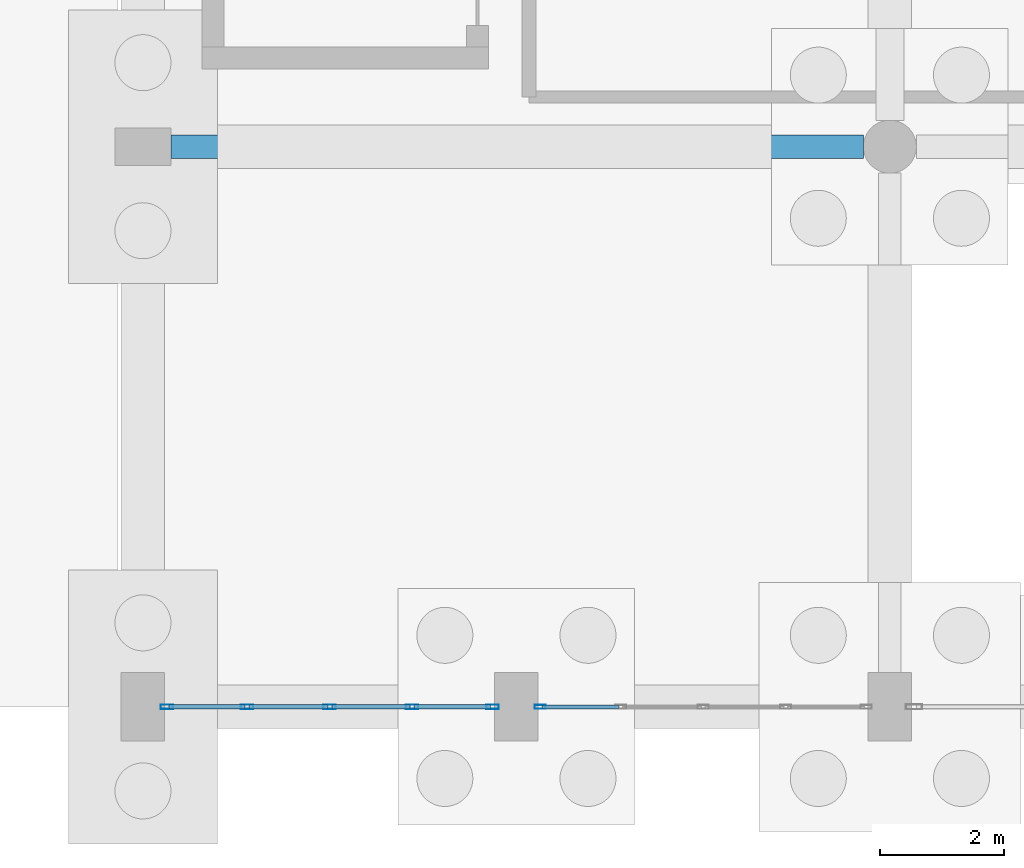
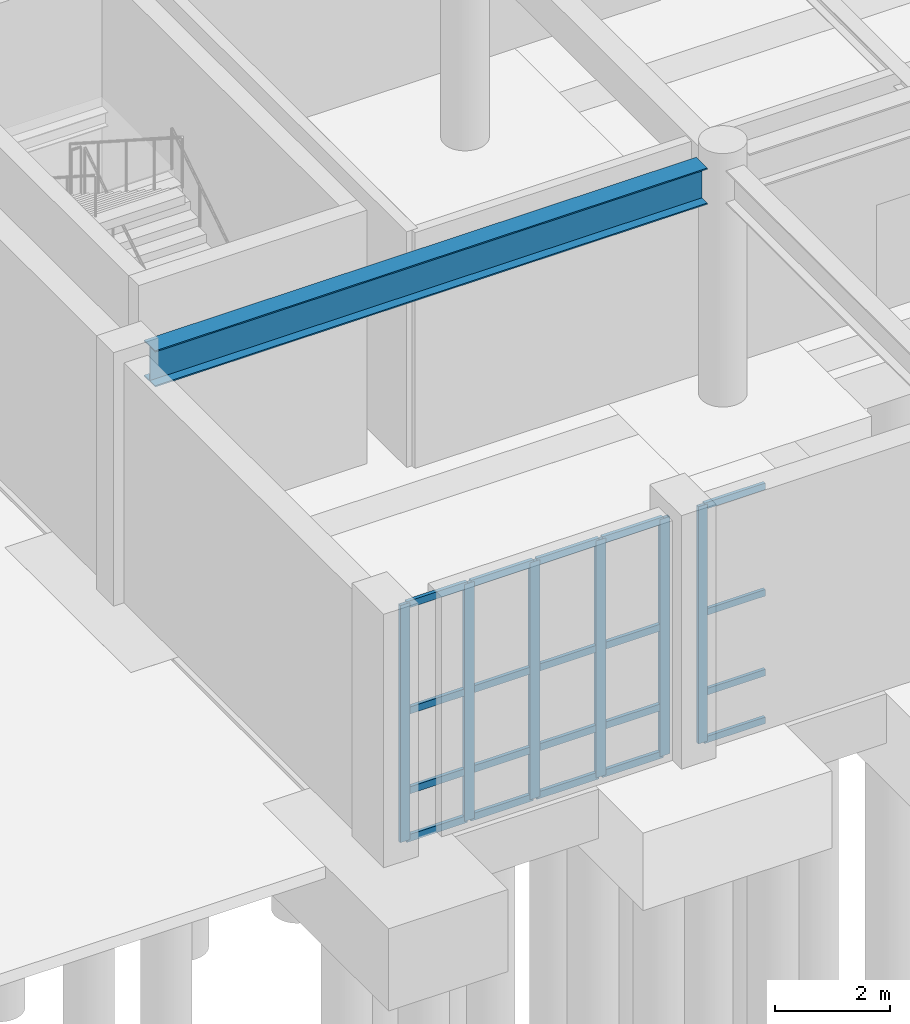
# One storey, part 18 of 69: 26 members, 1 beam, 2 elements without a shape of their own.
"""IFC4 building model written with IfcOpenShell, lengths in metres."""

from ifc_helpers import new_model, si_unit, direction, frame, origin, origin_2d, place, context, subcontext, project, spatial, hollow_rectangle, i_section, extrude, material, layer, layer_set, material_profile, profile_set, type_object, element, aggregate, save


model = new_model("IFC4")

# Units and contexts
model_context = context("Model", 3, precision=1e-05, world=origin(), true_north=direction((0.0, 1.0)))
body_context = subcontext(model_context, "Body", "Model", "MODEL_VIEW")
ifc_project = project(units=[si_unit("LENGTHUNIT", "METRE"), si_unit("AREAUNIT", "SQUARE_METRE"), si_unit("VOLUMEUNIT", "CUBIC_METRE"), si_unit("PLANEANGLEUNIT", "RADIAN"), si_unit("MASSUNIT", "GRAM", prefix="KILO")], contexts=[model_context])

# Site, building, storey
site_placement = place(None, origin())
site = spatial("IfcSite", under=ifc_project, at=site_placement, CompositionType="ELEMENT")
building_placement = place(site_placement, origin())
building = spatial("IfcBuilding", under=site, at=building_placement, Name="Vaelkrest Opera House", CompositionType="ELEMENT")
storey_placement = place(building_placement, frame((0.0, 0.0, -5.39990234375)))
storey = spatial("IfcBuildingStorey", under=building, at=storey_placement, Name="B1", CompositionType="ELEMENT", Elevation=-5.39990234375)

# Beam
ifc_material_1 = material(Name="Steel A992 Gr50", Category="steel")
ifc_material_profile_1 = material_profile(ifc_material_1, i_section(OverallWidth=0.381103515625, OverallDepth=0.77294921875, WebThickness=0.0166015625, FlangeThickness=0.027099609375, at=origin_2d()), Name="W30X173")
ifc_profile_set_1 = profile_set([ifc_material_profile_1], Name="Steel A992 Gr50")
beam_type = type_object("IfcBeamType", Name="B11", PredefinedType="BEAM", material=ifc_profile_set_1)
beam_placement = place(storey_placement, frame((-29.550048828125, -46.800048828125, 4.67333984375), z_axis=(1.0, 0.0, 0.0), x_axis=(0.0, 1.0, 0.0)))
element("IfcBeam", 1, at=beam_placement, inside=storey, type_object=beam_type, Name="Beam BM-V1-B1-0001", PredefinedType="BEAM", context=body_context, shape_type="SweptSolid", body=[
    extrude(i_section(OverallWidth=0.381103515625, OverallDepth=0.77294921875, WebThickness=0.0166015625, FlangeThickness=0.027099609375, at=origin_2d()), origin(), (0.0, 0.0, 1.0), 11.125),
])

# Curtain wall, member
ifc_material_2 = material(Name="Dark bronze anodized aluminium", Category="aluminium")
ifc_layer_1 = layer(ifc_material_2, 0.179931640625)
ifc_layer_set_1 = layer_set([ifc_layer_1], Name="Dark bronze anodized aluminium")
curtain_wall_type_1 = type_object("IfcCurtainWallType", Name="CW01", PredefinedType="NOTDEFINED", material=ifc_layer_set_1)
curtain_wall_1_placement = place(storey_placement, origin())
curtain_wall_1 = element("IfcCurtainWall", 2, at=curtain_wall_1_placement, inside=storey, type_object=curtain_wall_type_1, Name="Curtain wall CW-B1-009", PredefinedType="NOTDEFINED")
ifc_material_profile_2 = material_profile(ifc_material_2, hollow_rectangle(XDim=0.06494140625, YDim=0.179931640625, WallThickness=0.00390625, at=origin_2d()), Name="CWM65X180")
ifc_profile_set_2 = profile_set([ifc_material_profile_2], Name="Dark bronze anodized aluminium")
member_type_1 = type_object("IfcMemberType", Name="CWM01", PredefinedType="MULLION", material=ifc_profile_set_2)
member_1_placement = place(storey_placement, frame((-23.619384765625, -55.800048828125, 0.0), z_axis=(0.0, 0.0, 1.0), x_axis=(0.0, -1.0, 0.0)))
member_1 = element("IfcMember", 3, at=member_1_placement, type_object=member_type_1, Name="CW01 mullion 5", PredefinedType="MULLION", context=body_context, shape_type="SweptSolid", body=[
    extrude(hollow_rectangle(XDim=0.06494140625, YDim=0.179931640625, WallThickness=0.00390625, at=origin_2d()), origin(), (0.0, 0.0, 1.0), 5.0498046875),
])

# Curtain wall, members
ifc_layer_2 = layer(ifc_material_2, 0.18994140625)
ifc_layer_set_2 = layer_set([ifc_layer_2], Name="Dark bronze anodized aluminium")
curtain_wall_type_2 = type_object("IfcCurtainWallType", Name="CW02", PredefinedType="NOTDEFINED", material=ifc_layer_set_2)
curtain_wall_2_placement = place(storey_placement, origin())
curtain_wall_2 = element("IfcCurtainWall", 4, at=curtain_wall_2_placement, inside=storey, type_object=curtain_wall_type_2, Name="Curtain wall CW-B1-010", PredefinedType="NOTDEFINED")
ifc_material_profile_3 = material_profile(ifc_material_2, hollow_rectangle(XDim=0.070068359375, YDim=0.199951171875, WallThickness=0.004150390625, at=origin_2d()), Name="CWM70X200")
ifc_profile_set_3 = profile_set([ifc_material_profile_3], Name="Dark bronze anodized aluminium")
member_type_2 = type_object("IfcMemberType", Name="CWM02", PredefinedType="MULLION", material=ifc_profile_set_3)
member_2_placement = place(storey_placement, frame((-24.383056640625, -55.800048828125, 0.0), z_axis=(0.0, 0.0, 1.0), x_axis=(0.0, -1.0, 0.0)))
member_2 = element("IfcMember", 5, at=member_2_placement, type_object=member_type_2, Name="CW02 mullion 1", PredefinedType="MULLION", context=body_context, shape_type="SweptSolid", body=[
    extrude(hollow_rectangle(XDim=0.070068359375, YDim=0.199951171875, WallThickness=0.004150390625, at=origin_2d()), origin(), (0.0, 0.0, 1.0), 5.0498046875),
])
member_3_placement = place(storey_placement, frame((-25.674072265625, -55.800048828125, 0.0), z_axis=(0.0, 0.0, 1.0), x_axis=(0.0, -1.0, 0.0)))
member_3 = element("IfcMember", 6, at=member_3_placement, type_object=member_type_2, Name="CW02 mullion 2", PredefinedType="MULLION", context=body_context, shape_type="SweptSolid", body=[
    extrude(hollow_rectangle(XDim=0.070068359375, YDim=0.199951171875, WallThickness=0.004150390625, at=origin_2d()), origin(), (0.0, 0.0, 1.0), 5.0498046875),
])
member_4_placement = place(storey_placement, frame((-27.0, -55.800048828125, 0.0), z_axis=(0.0, 0.0, 1.0), x_axis=(0.0, -1.0, 0.0)))
member_4 = element("IfcMember", 7, at=member_4_placement, type_object=member_type_2, Name="CW02 mullion 3", PredefinedType="MULLION", context=body_context, shape_type="SweptSolid", body=[
    extrude(hollow_rectangle(XDim=0.070068359375, YDim=0.199951171875, WallThickness=0.004150390625, at=origin_2d()), origin(), (0.0, 0.0, 1.0), 5.0498046875),
])
member_5_placement = place(storey_placement, frame((-28.325927734375, -55.800048828125, 0.0), z_axis=(0.0, 0.0, 1.0), x_axis=(0.0, -1.0, 0.0)))
member_5 = element("IfcMember", 8, at=member_5_placement, type_object=member_type_2, Name="CW02 mullion 4", PredefinedType="MULLION", context=body_context, shape_type="SweptSolid", body=[
    extrude(hollow_rectangle(XDim=0.070068359375, YDim=0.199951171875, WallThickness=0.004150390625, at=origin_2d()), origin(), (0.0, 0.0, 1.0), 5.0498046875),
])
member_6_placement = place(storey_placement, frame((-29.616943359375, -55.800048828125, 0.0), z_axis=(0.0, 0.0, 1.0), x_axis=(0.0, -1.0, 0.0)))
member_6 = element("IfcMember", 9, at=member_6_placement, type_object=member_type_2, Name="CW02 mullion 5", PredefinedType="MULLION", context=body_context, shape_type="SweptSolid", body=[
    extrude(hollow_rectangle(XDim=0.070068359375, YDim=0.199951171875, WallThickness=0.004150390625, at=origin_2d()), origin(), (0.0, 0.0, 1.0), 5.0498046875),
])

# Member
ifc_material_profile_4 = material_profile(ifc_material_2, hollow_rectangle(XDim=0.06494140625, YDim=0.139892578125, WallThickness=0.00390625, at=origin_2d()), Name="CWT65X140")
ifc_profile_set_4 = profile_set([ifc_material_profile_4], Name="Dark bronze anodized aluminium")
member_type_3 = type_object("IfcMemberType", Name="CWT01", PredefinedType="USERDEFINED", material=ifc_profile_set_4)
member_7_placement = place(storey_placement, frame((-22.3583984375, -55.800048828125, 0.032470703125), z_axis=(-1.0, 0.0, 0.0), x_axis=(0.0, -1.0, 0.0)))
member_7 = element("IfcMember", 10, at=member_7_placement, type_object=member_type_3, Name="CW01 transom 4.1", ObjectType="TRANSOM", PredefinedType="USERDEFINED", context=body_context, shape_type="SweptSolid", body=[
    extrude(hollow_rectangle(XDim=0.06494140625, YDim=0.139892578125, WallThickness=0.00390625, at=origin_2d()), origin(), (0.0, 0.0, 1.0), 1.228515625),
])

member_8_placement = place(storey_placement, frame((-22.3583984375, -55.800048828125, 1.0498046875), z_axis=(-1.0, 0.0, 0.0), x_axis=(0.0, -1.0, 0.0)))
member_8 = element("IfcMember", 11, at=member_8_placement, type_object=member_type_3, Name="CW01 transom 4.2", ObjectType="TRANSOM", PredefinedType="USERDEFINED", context=body_context, shape_type="SweptSolid", body=[
    extrude(hollow_rectangle(XDim=0.06494140625, YDim=0.139892578125, WallThickness=0.00390625, at=origin_2d()), origin(), (0.0, 0.0, 1.0), 1.228515625),
])

member_9_placement = place(storey_placement, frame((-22.3583984375, -55.800048828125, 2.75), z_axis=(-1.0, 0.0, 0.0), x_axis=(0.0, -1.0, 0.0)))
member_9 = element("IfcMember", 12, at=member_9_placement, type_object=member_type_3, Name="CW01 transom 4.3", ObjectType="TRANSOM", PredefinedType="USERDEFINED", context=body_context, shape_type="SweptSolid", body=[
    extrude(hollow_rectangle(XDim=0.06494140625, YDim=0.139892578125, WallThickness=0.00390625, at=origin_2d()), origin(), (0.0, 0.0, 1.0), 1.228515625),
])

member_10_placement = place(storey_placement, frame((-22.3583984375, -55.800048828125, 5.017333984375), z_axis=(-1.0, 0.0, 0.0), x_axis=(0.0, -1.0, 0.0)))
member_10 = element("IfcMember", 13, at=member_10_placement, type_object=member_type_3, Name="CW01 transom 4.4", ObjectType="TRANSOM", PredefinedType="USERDEFINED", context=body_context, shape_type="SweptSolid", body=[
    extrude(hollow_rectangle(XDim=0.06494140625, YDim=0.139892578125, WallThickness=0.00390625, at=origin_2d()), origin(), (0.0, 0.0, 1.0), 1.228515625),
])

aggregate(curtain_wall_1, [member_1, member_7, member_8, member_9, member_10])

ifc_material_profile_5 = material_profile(ifc_material_2, hollow_rectangle(XDim=0.070068359375, YDim=0.14990234375, WallThickness=0.004150390625, at=origin_2d()), Name="CWT70X150")
ifc_profile_set_5 = profile_set([ifc_material_profile_5], Name="Dark bronze anodized aluminium")
member_type_4 = type_object("IfcMemberType", Name="CWT02", PredefinedType="USERDEFINED", material=ifc_profile_set_5)
member_11_placement = place(storey_placement, frame((-24.41796875, -55.800048828125, 0.034912109375), z_axis=(-1.0, 0.0, 0.0), x_axis=(0.0, -1.0, 0.0)))
member_11 = element("IfcMember", 14, at=member_11_placement, type_object=member_type_4, Name="CW02 transom 1.1", ObjectType="TRANSOM", PredefinedType="USERDEFINED", context=body_context, shape_type="SweptSolid", body=[
    extrude(hollow_rectangle(XDim=0.070068359375, YDim=0.14990234375, WallThickness=0.004150390625, at=origin_2d()), origin(), (0.0, 0.0, 1.0), 1.220947265625),
])

member_12_placement = place(storey_placement, frame((-24.41796875, -55.800048828125, 1.0498046875), z_axis=(-1.0, 0.0, 0.0), x_axis=(0.0, -1.0, 0.0)))
member_12 = element("IfcMember", 15, at=member_12_placement, type_object=member_type_4, Name="CW02 transom 1.2", ObjectType="TRANSOM", PredefinedType="USERDEFINED", context=body_context, shape_type="SweptSolid", body=[
    extrude(hollow_rectangle(XDim=0.070068359375, YDim=0.14990234375, WallThickness=0.004150390625, at=origin_2d()), origin(), (0.0, 0.0, 1.0), 1.220947265625),
])

member_13_placement = place(storey_placement, frame((-24.41796875, -55.800048828125, 2.75), z_axis=(-1.0, 0.0, 0.0), x_axis=(0.0, -1.0, 0.0)))
member_13 = element("IfcMember", 16, at=member_13_placement, type_object=member_type_4, Name="CW02 transom 1.3", ObjectType="TRANSOM", PredefinedType="USERDEFINED", context=body_context, shape_type="SweptSolid", body=[
    extrude(hollow_rectangle(XDim=0.070068359375, YDim=0.14990234375, WallThickness=0.004150390625, at=origin_2d()), origin(), (0.0, 0.0, 1.0), 1.220947265625),
])

member_14_placement = place(storey_placement, frame((-24.41796875, -55.800048828125, 5.014892578125), z_axis=(-1.0, 0.0, 0.0), x_axis=(0.0, -1.0, 0.0)))
member_14 = element("IfcMember", 17, at=member_14_placement, type_object=member_type_4, Name="CW02 transom 1.4", ObjectType="TRANSOM", PredefinedType="USERDEFINED", context=body_context, shape_type="SweptSolid", body=[
    extrude(hollow_rectangle(XDim=0.070068359375, YDim=0.14990234375, WallThickness=0.004150390625, at=origin_2d()), origin(), (0.0, 0.0, 1.0), 1.220947265625),
])

member_15_placement = place(storey_placement, frame((-25.708984375, -55.800048828125, 0.034912109375), z_axis=(-1.0, 0.0, 0.0), x_axis=(0.0, -1.0, 0.0)))
member_15 = element("IfcMember", 18, at=member_15_placement, type_object=member_type_4, Name="CW02 transom 2.1", ObjectType="TRANSOM", PredefinedType="USERDEFINED", context=body_context, shape_type="SweptSolid", body=[
    extrude(hollow_rectangle(XDim=0.070068359375, YDim=0.14990234375, WallThickness=0.004150390625, at=origin_2d()), origin(), (0.0, 0.0, 1.0), 1.256103515625),
])

member_16_placement = place(storey_placement, frame((-25.708984375, -55.800048828125, 1.0498046875), z_axis=(-1.0, 0.0, 0.0), x_axis=(0.0, -1.0, 0.0)))
member_16 = element("IfcMember", 19, at=member_16_placement, type_object=member_type_4, Name="CW02 transom 2.2", ObjectType="TRANSOM", PredefinedType="USERDEFINED", context=body_context, shape_type="SweptSolid", body=[
    extrude(hollow_rectangle(XDim=0.070068359375, YDim=0.14990234375, WallThickness=0.004150390625, at=origin_2d()), origin(), (0.0, 0.0, 1.0), 1.256103515625),
])

member_17_placement = place(storey_placement, frame((-25.708984375, -55.800048828125, 2.75), z_axis=(-1.0, 0.0, 0.0), x_axis=(0.0, -1.0, 0.0)))
member_17 = element("IfcMember", 20, at=member_17_placement, type_object=member_type_4, Name="CW02 transom 2.3", ObjectType="TRANSOM", PredefinedType="USERDEFINED", context=body_context, shape_type="SweptSolid", body=[
    extrude(hollow_rectangle(XDim=0.070068359375, YDim=0.14990234375, WallThickness=0.004150390625, at=origin_2d()), origin(), (0.0, 0.0, 1.0), 1.256103515625),
])

member_18_placement = place(storey_placement, frame((-25.708984375, -55.800048828125, 5.014892578125), z_axis=(-1.0, 0.0, 0.0), x_axis=(0.0, -1.0, 0.0)))
member_18 = element("IfcMember", 21, at=member_18_placement, type_object=member_type_4, Name="CW02 transom 2.4", ObjectType="TRANSOM", PredefinedType="USERDEFINED", context=body_context, shape_type="SweptSolid", body=[
    extrude(hollow_rectangle(XDim=0.070068359375, YDim=0.14990234375, WallThickness=0.004150390625, at=origin_2d()), origin(), (0.0, 0.0, 1.0), 1.256103515625),
])

member_19_placement = place(storey_placement, frame((-27.034912109375, -55.800048828125, 0.034912109375), z_axis=(-1.0, 0.0, 0.0), x_axis=(0.0, -1.0, 0.0)))
member_19 = element("IfcMember", 22, at=member_19_placement, type_object=member_type_4, Name="CW02 transom 3.1", ObjectType="TRANSOM", PredefinedType="USERDEFINED", context=body_context, shape_type="SweptSolid", body=[
    extrude(hollow_rectangle(XDim=0.070068359375, YDim=0.14990234375, WallThickness=0.004150390625, at=origin_2d()), origin(), (0.0, 0.0, 1.0), 1.256103515625),
])

member_20_placement = place(storey_placement, frame((-27.034912109375, -55.800048828125, 1.0498046875), z_axis=(-1.0, 0.0, 0.0), x_axis=(0.0, -1.0, 0.0)))
member_20 = element("IfcMember", 23, at=member_20_placement, type_object=member_type_4, Name="CW02 transom 3.2", ObjectType="TRANSOM", PredefinedType="USERDEFINED", context=body_context, shape_type="SweptSolid", body=[
    extrude(hollow_rectangle(XDim=0.070068359375, YDim=0.14990234375, WallThickness=0.004150390625, at=origin_2d()), origin(), (0.0, 0.0, 1.0), 1.256103515625),
])

member_21_placement = place(storey_placement, frame((-27.034912109375, -55.800048828125, 2.75), z_axis=(-1.0, 0.0, 0.0), x_axis=(0.0, -1.0, 0.0)))
member_21 = element("IfcMember", 24, at=member_21_placement, type_object=member_type_4, Name="CW02 transom 3.3", ObjectType="TRANSOM", PredefinedType="USERDEFINED", context=body_context, shape_type="SweptSolid", body=[
    extrude(hollow_rectangle(XDim=0.070068359375, YDim=0.14990234375, WallThickness=0.004150390625, at=origin_2d()), origin(), (0.0, 0.0, 1.0), 1.256103515625),
])

member_22_placement = place(storey_placement, frame((-27.034912109375, -55.800048828125, 5.014892578125), z_axis=(-1.0, 0.0, 0.0), x_axis=(0.0, -1.0, 0.0)))
member_22 = element("IfcMember", 25, at=member_22_placement, type_object=member_type_4, Name="CW02 transom 3.4", ObjectType="TRANSOM", PredefinedType="USERDEFINED", context=body_context, shape_type="SweptSolid", body=[
    extrude(hollow_rectangle(XDim=0.070068359375, YDim=0.14990234375, WallThickness=0.004150390625, at=origin_2d()), origin(), (0.0, 0.0, 1.0), 1.256103515625),
])

member_23_placement = place(storey_placement, frame((-28.361083984375, -55.800048828125, 0.034912109375), z_axis=(-1.0, 0.0, 0.0), x_axis=(0.0, -1.0, 0.0)))
member_23 = element("IfcMember", 26, at=member_23_placement, type_object=member_type_4, Name="CW02 transom 4.1", ObjectType="TRANSOM", PredefinedType="USERDEFINED", context=body_context, shape_type="SweptSolid", body=[
    extrude(hollow_rectangle(XDim=0.070068359375, YDim=0.14990234375, WallThickness=0.004150390625, at=origin_2d()), origin(), (0.0, 0.0, 1.0), 1.220947265625),
])

member_24_placement = place(storey_placement, frame((-28.361083984375, -55.800048828125, 1.0498046875), z_axis=(-1.0, 0.0, 0.0), x_axis=(0.0, -1.0, 0.0)))
member_24 = element("IfcMember", 27, at=member_24_placement, type_object=member_type_4, Name="CW02 transom 4.2", ObjectType="TRANSOM", PredefinedType="USERDEFINED", context=body_context, shape_type="SweptSolid", body=[
    extrude(hollow_rectangle(XDim=0.070068359375, YDim=0.14990234375, WallThickness=0.004150390625, at=origin_2d()), origin(), (0.0, 0.0, 1.0), 1.220947265625),
])

member_25_placement = place(storey_placement, frame((-28.361083984375, -55.800048828125, 2.75), z_axis=(-1.0, 0.0, 0.0), x_axis=(0.0, -1.0, 0.0)))
member_25 = element("IfcMember", 28, at=member_25_placement, type_object=member_type_4, Name="CW02 transom 4.3", ObjectType="TRANSOM", PredefinedType="USERDEFINED", context=body_context, shape_type="SweptSolid", body=[
    extrude(hollow_rectangle(XDim=0.070068359375, YDim=0.14990234375, WallThickness=0.004150390625, at=origin_2d()), origin(), (0.0, 0.0, 1.0), 1.220947265625),
])

member_26_placement = place(storey_placement, frame((-28.361083984375, -55.800048828125, 5.014892578125), z_axis=(-1.0, 0.0, 0.0), x_axis=(0.0, -1.0, 0.0)))
member_26 = element("IfcMember", 29, at=member_26_placement, type_object=member_type_4, Name="CW02 transom 4.4", ObjectType="TRANSOM", PredefinedType="USERDEFINED", context=body_context, shape_type="SweptSolid", body=[
    extrude(hollow_rectangle(XDim=0.070068359375, YDim=0.14990234375, WallThickness=0.004150390625, at=origin_2d()), origin(), (0.0, 0.0, 1.0), 1.220947265625),
])

aggregate(curtain_wall_2, [member_2, member_3, member_4, member_5, member_6, member_11, member_12, member_13, member_14, member_15, member_16, member_17, member_18, member_19, member_20, member_21, member_22, member_23, member_24, member_25, member_26])

save(model, "model.ifc")
